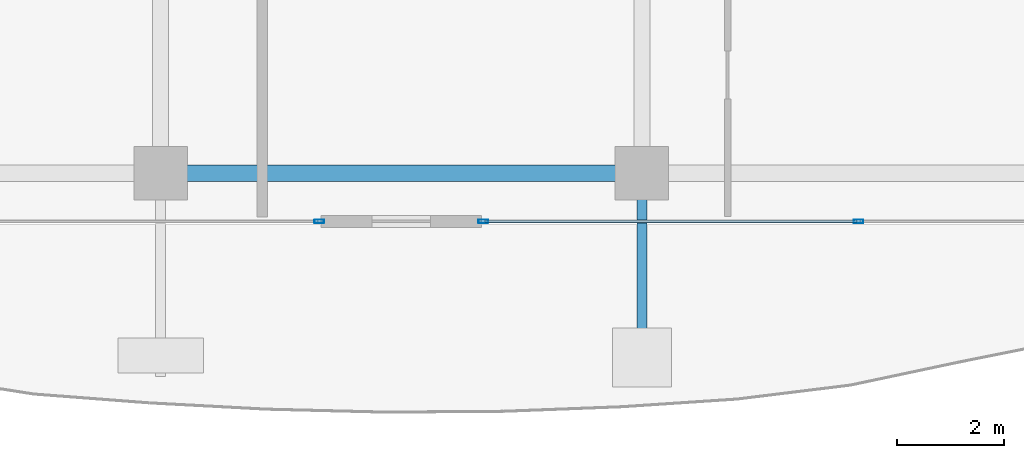
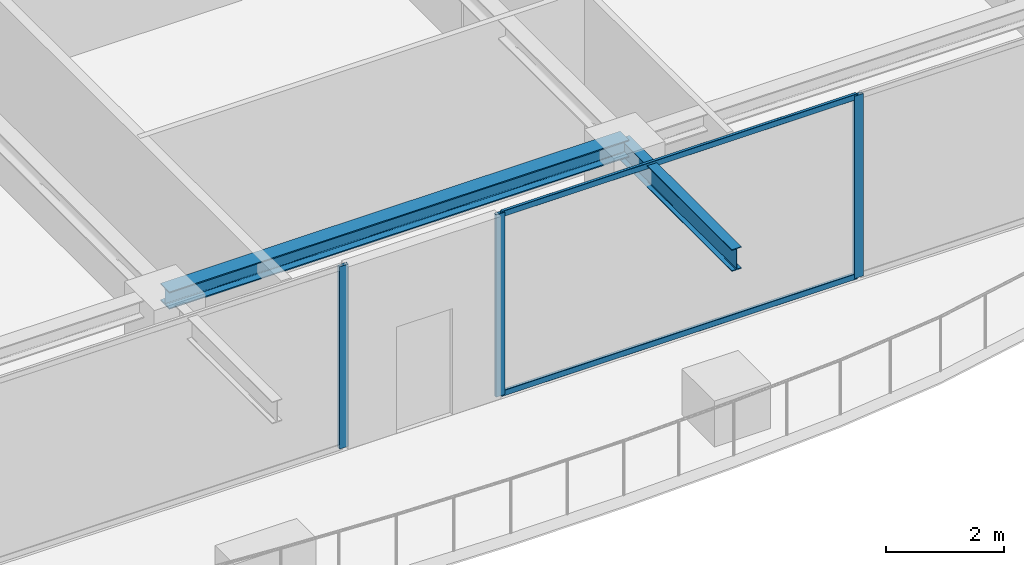
# One storey, part 6 of 42: 5 members, 2 beams, 2 elements without a shape of their own.
"""IFC4 building model written with IfcOpenShell, lengths in metres."""

from ifc_helpers import new_model, si_unit, direction, frame, origin, origin_2d, place, context, subcontext, project, spatial, hollow_rectangle, i_section, extrude, source, transform, mapped, material, layer, layer_set, material_profile, profile_set, type_object, element, aggregate, save


model = new_model("IFC4")

# Units and contexts
model_context = context("Model", 3, precision=1e-05, world=origin(), true_north=direction((0.0, 1.0)))
body_context = subcontext(model_context, "Body", "Model", "MODEL_VIEW")
ifc_project = project(units=[si_unit("LENGTHUNIT", "METRE"), si_unit("AREAUNIT", "SQUARE_METRE"), si_unit("VOLUMEUNIT", "CUBIC_METRE"), si_unit("PLANEANGLEUNIT", "RADIAN"), si_unit("MASSUNIT", "GRAM", prefix="KILO")], contexts=[model_context])

# Site, building, storey
site_placement = place(None, origin())
site = spatial("IfcSite", under=ifc_project, at=site_placement, CompositionType="ELEMENT")
building_placement = place(site_placement, origin())
building = spatial("IfcBuilding", under=site, at=building_placement, Name="Serunith Strait Residences", CompositionType="ELEMENT")
storey_placement = place(building_placement, frame((0.0, 0.0, 297.5)))
storey = spatial("IfcBuildingStorey", under=building, at=storey_placement, Name="L74", CompositionType="ELEMENT", Elevation=297.5)

# Beams
ifc_material_1 = material(Name="Steel S355J2", Category="steel")
ifc_material_profile_1 = material_profile(ifc_material_1, i_section(OverallWidth=0.300048828125, OverallDepth=0.360107421875, WebThickness=0.012451171875, FlangeThickness=0.0224609375, FilletRadius=0.027099609375, at=origin_2d()), Name="HEB 360")
ifc_profile_set_1 = profile_set([ifc_material_profile_1], Name="Steel S355J2")
beam_type_1 = type_object("IfcBeamType", Name="BM-HEB360", PredefinedType="BEAM", material=ifc_profile_set_1)
shared_shape_1 = source(origin(), body_context, "Body", "SweptSolid", [
    extrude(i_section(OverallWidth=0.300048828125, OverallDepth=0.360107421875, WebThickness=0.012451171875, FlangeThickness=0.0224609375, FilletRadius=0.027099609375, at=origin_2d()), origin(), (0.0, 0.0, 1.0), 9.0),
])
beam_1_placement = place(storey_placement, frame((27.89990234375, 3.300048828125, 3.60693359375), z_axis=(1.0, 0.0, 0.0), x_axis=(0.0, 1.0, 0.0)))
element("IfcBeam", 1, at=beam_1_placement, inside=storey, type_object=beam_type_1, Name="L74 Perimeter Ring Beam 02", PredefinedType="BEAM", context=body_context, shape_type="MappedRepresentation", body=[
    mapped(shared_shape_1, transform((0.0, 0.0, 0.0), scale=1.0)),
])
ifc_material_profile_2 = material_profile(ifc_material_1, i_section(OverallWidth=0.18994140625, OverallDepth=0.449951171875, WebThickness=0.009521484375, FlangeThickness=0.0146484375, FilletRadius=0.02099609375, at=origin_2d()), Name="IPE 450")
ifc_profile_set_2 = profile_set([ifc_material_profile_2], Name="Steel S355J2")
beam_type_2 = type_object("IfcBeamType", Name="BM-IPE450", PredefinedType="JOIST", material=ifc_profile_set_2)
shared_shape_2 = source(origin(), body_context, "Body", "SweptSolid", [
    extrude(i_section(OverallWidth=0.18994140625, OverallDepth=0.449951171875, WebThickness=0.009521484375, FlangeThickness=0.0146484375, FilletRadius=0.02099609375, at=origin_2d()), origin(), (0.0, 0.0, 1.0), 3.800048828125),
])
beam_2_placement = place(storey_placement, frame((36.89990234375, 3.300048828125, 3.531982421875), z_axis=(0.0, -1.0, 0.0), x_axis=(1.0, 0.0, 0.0)))
element("IfcBeam", 2, at=beam_2_placement, inside=storey, type_object=beam_type_2, Name="L75 Cantilevered Balcony Rib TC-S3", PredefinedType="JOIST", context=body_context, shape_type="MappedRepresentation", body=[
    mapped(shared_shape_2, transform((0.0, 0.0, 0.0), scale=1.0)),
])

# Curtain wall, members
ifc_material_2 = material(Name="Brushed Stainless-Silver Aluminium", Category="aluminium")
ifc_layer = layer(ifc_material_2, 0.199951171875, Name="Brushed Stainless-Silver Aluminium")
ifc_layer_set = layer_set([ifc_layer], Name="Brushed Stainless-Silver Aluminium")
curtain_wall_type = type_object("IfcCurtainWallType", Name="CW-SYS5", PredefinedType="NOTDEFINED", material=ifc_layer_set)
curtain_wall_1_placement = place(storey_placement, origin())
curtain_wall_1 = element("IfcCurtainWall", 3, at=curtain_wall_1_placement, inside=storey, type_object=curtain_wall_type, Name="L74 S Unitised Fritted Curtain Wall", PredefinedType="NOTDEFINED")
ifc_material_profile_3 = material_profile(ifc_material_2, hollow_rectangle(XDim=0.06005859375, YDim=0.1201171875, WallThickness=0.00341796875, InnerFilletRadius=0.00537109375, OuterFilletRadius=0.0087890625, at=origin_2d()), Name="ALU 120x60x3.5")
ifc_profile_set_3 = profile_set([ifc_material_profile_3], Name="Brushed Stainless-Silver Aluminium")
member_type_1 = type_object("IfcMemberType", Name="CW-SYS5-TRAN", PredefinedType="USERDEFINED", material=ifc_profile_set_3)
shared_shape_3 = source(origin(), body_context, "Body", "SweptSolid", [
    extrude(hollow_rectangle(XDim=0.06005859375, YDim=0.1201171875, WallThickness=0.00341796875, InnerFilletRadius=0.00537109375, OuterFilletRadius=0.0087890625, at=origin_2d()), origin(), (0.0, 0.0, 1.0), 6.952392578125),
])
member_1_placement = place(storey_placement, frame((33.965087890625, 2.39990234375, 0.030029296875), z_axis=(1.0, 0.0, 0.0), x_axis=(0.0, 1.0, 0.0)))
member_1 = element("IfcMember", 4, at=member_1_placement, type_object=member_type_1, Name="CW-5 transom 1.1", ObjectType="TRANSOM", PredefinedType="USERDEFINED", context=body_context, shape_type="MappedRepresentation", body=[
    mapped(shared_shape_3, transform((0.0, 0.0, 0.0), scale=1.0)),
])
member_2_placement = place(storey_placement, frame((33.965087890625, 2.39990234375, 3.7451171875), z_axis=(1.0, 0.0, 0.0), x_axis=(0.0, 1.0, 0.0)))
member_2 = element("IfcMember", 5, at=member_2_placement, type_object=member_type_1, Name="CW-5 transom 1.2", ObjectType="TRANSOM", PredefinedType="USERDEFINED", context=body_context, shape_type="MappedRepresentation", body=[
    mapped(shared_shape_3, transform((0.0, 0.0, 0.0), scale=1.0)),
])

# Curtain wall, member
curtain_wall_2_placement = place(storey_placement, origin())
curtain_wall_2 = element("IfcCurtainWall", 6, at=curtain_wall_2_placement, inside=storey, type_object=curtain_wall_type, Name="L74 S Unitised Fritted Curtain Wall", PredefinedType="NOTDEFINED")
ifc_material_profile_4 = material_profile(ifc_material_2, hollow_rectangle(XDim=0.06494140625, YDim=0.179931640625, WallThickness=0.00341796875, InnerFilletRadius=0.00537109375, OuterFilletRadius=0.0087890625, at=origin_2d()), Name="ALU 180x65x3.5")
ifc_profile_set_4 = profile_set([ifc_material_profile_4], Name="Brushed Stainless-Silver Aluminium")
member_type_2 = type_object("IfcMemberType", Name="CW-SYS5-MULL", PredefinedType="MULLION", material=ifc_profile_set_4)
shared_shape_4 = source(origin(), body_context, "Body", "SweptSolid", [
    extrude(hollow_rectangle(XDim=0.06494140625, YDim=0.179931640625, WallThickness=0.00341796875, InnerFilletRadius=0.00537109375, OuterFilletRadius=0.0087890625, at=origin_2d()), origin(), (0.0, 0.0, 1.0), 3.77490234375),
])
member_3_placement = place(storey_placement, frame((30.867431640625, 2.39990234375, 0.0), z_axis=(0.0, 0.0, 1.0), x_axis=(0.0, 1.0, 0.0)))
member_3 = element("IfcMember", 7, at=member_3_placement, type_object=member_type_2, Name="CW-5 mullion 3", PredefinedType="MULLION", context=body_context, shape_type="MappedRepresentation", body=[
    mapped(shared_shape_4, transform((0.0, 0.0, 0.0), scale=1.0)),
])
aggregate(curtain_wall_2, [member_3])

# Member
member_4_placement = place(storey_placement, frame((33.9326171875, 2.39990234375, 0.0), z_axis=(0.0, 0.0, 1.0), x_axis=(0.0, 1.0, 0.0)))
member_4 = element("IfcMember", 8, at=member_4_placement, type_object=member_type_2, Name="CW-5 mullion 1", PredefinedType="MULLION", context=body_context, shape_type="MappedRepresentation", body=[
    mapped(shared_shape_4, transform((0.0, 0.0, 0.0), scale=1.0)),
])

member_5_placement = place(storey_placement, frame((40.949951171875, 2.39990234375, 0.0), z_axis=(0.0, 0.0, 1.0), x_axis=(0.0, 1.0, 0.0)))
member_5 = element("IfcMember", 9, at=member_5_placement, type_object=member_type_2, Name="CW-5 mullion 2", PredefinedType="MULLION", context=body_context, shape_type="MappedRepresentation", body=[
    mapped(shared_shape_4, transform((0.0, 0.0, 0.0), scale=1.0)),
])

aggregate(curtain_wall_1, [member_4, member_5, member_1, member_2])

save(model, "model.ifc")
